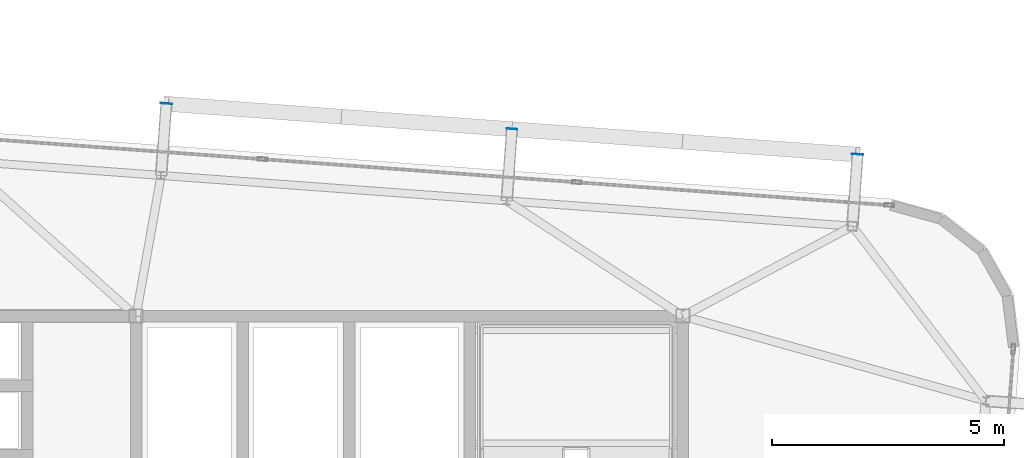
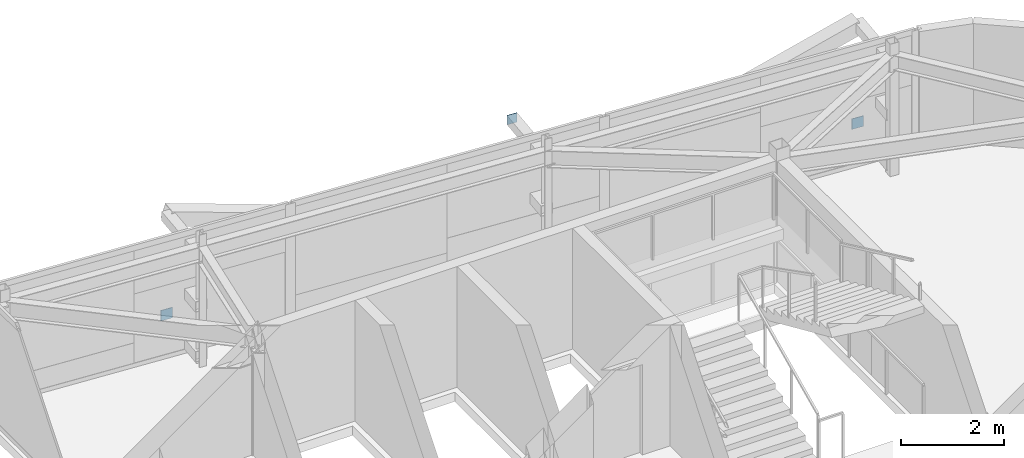
# One storey, part 35 of 40: 3 plates.
"""IFC4 building model written with IfcOpenShell, lengths in metres."""

from ifc_helpers import new_model, si_unit, direction, frame, origin, origin_2d, place, context, subcontext, project, spatial, rectangle, extrude, source, transform, mapped, material, layer, layer_set, type_object, element, save


model = new_model("IFC4")

# Units and contexts
model_context = context("Model", 3, precision=1e-05, world=origin(), true_north=direction((0.0, 1.0)))
body_context = subcontext(model_context, "Body", "Model", "MODEL_VIEW")
ifc_project = project(units=[si_unit("LENGTHUNIT", "METRE"), si_unit("AREAUNIT", "SQUARE_METRE"), si_unit("VOLUMEUNIT", "CUBIC_METRE"), si_unit("PLANEANGLEUNIT", "RADIAN"), si_unit("MASSUNIT", "GRAM", prefix="KILO")], contexts=[model_context])

# Site, building, storey
site_placement = place(None, origin())
site = spatial("IfcSite", under=ifc_project, at=site_placement, CompositionType="ELEMENT")
building_placement = place(site_placement, origin())
building = spatial("IfcBuilding", under=site, at=building_placement, Name="Taldren Reach Tower", CompositionType="ELEMENT")
storey_placement = place(building_placement, frame((0.0, 0.0, 233.449951171875)))
storey = spatial("IfcBuildingStorey", under=building, at=storey_placement, Name="L71", CompositionType="ELEMENT", Elevation=233.449951171875)

# Plates
ifc_material_1 = material(Name="Steel Gr 350 (C350L0)", Category="steel")
ifc_layer_1 = layer(ifc_material_1, 0.011962890625)
ifc_layer_set_1 = layer_set([ifc_layer_1], Name="Steel Gr 350 (C350L0)")
plate_type_1 = type_object("IfcPlateType", Name="PL-CAP-250", PredefinedType="SHEET", material=ifc_layer_set_1)
shared_shape_1 = source(origin(), body_context, "Body", "SweptSolid", [
    extrude(rectangle(XDim=0.25, YDim=0.011962890625, at=origin_2d()), origin(), (0.0, 0.0, 1.0), 0.25),
])
for number, where, z_axis, x_axis, name in (
    (1, (39.853515625, 36.587158203125, 0.094970703125), (0.0, 0.0, 1.0), (0.997314477224, -0.073238197128, 0.0), "Tie strut end cap plate B5-N4 L71"),
    (2, (54.773193359375, 35.49169921875, 0.094970703125), (0.0, 0.0, 1.0), (0.997314477224, -0.073238197128, 0.0), "Tie strut end cap plate B5-N6 L71"),
):
    element("IfcPlate", number, at=place(storey_placement, frame(where, z_axis=z_axis, x_axis=x_axis)), inside=storey, type_object=plate_type_1, Name=name, PredefinedType="SHEET", context=body_context, shape_type="MappedRepresentation", body=[
        mapped(shared_shape_1, transform((0.0, 0.0, 0.0), scale=1.0)),
    ])
ifc_material_2 = material(Name="Steel Gr 450 (C450L0)", Category="steel")
ifc_layer_2 = layer(ifc_material_2, 0.011962890625)
ifc_layer_set_2 = layer_set([ifc_layer_2], Name="Steel Gr 450 (C450L0)")
plate_type_2 = type_object("IfcPlateType", Name="PL-CAP-220", PredefinedType="SHEET", material=ifc_layer_set_2)
shared_shape_2 = source(origin(), body_context, "Body", "SweptSolid", [
    extrude(rectangle(XDim=0.219970703125, YDim=0.011962890625, at=origin_2d()), origin(), (0.0, 0.0, 1.0), 0.219970703125),
])
plate_placement = place(storey_placement, frame((47.3134765625, 36.039306640625, 2.47998046875), z_axis=(0.0, 0.0, 1.0), x_axis=(0.997314477224, -0.073238197128, 0.0)))
element("IfcPlate", 3, at=plate_placement, inside=storey, type_object=plate_type_2, Name="Tie strut end cap plate B5-N5 L71", PredefinedType="SHEET", context=body_context, shape_type="MappedRepresentation", body=[
    mapped(shared_shape_2, transform((0.0, 0.0, 0.0), scale=1.0)),
])

save(model, "model.ifc")
